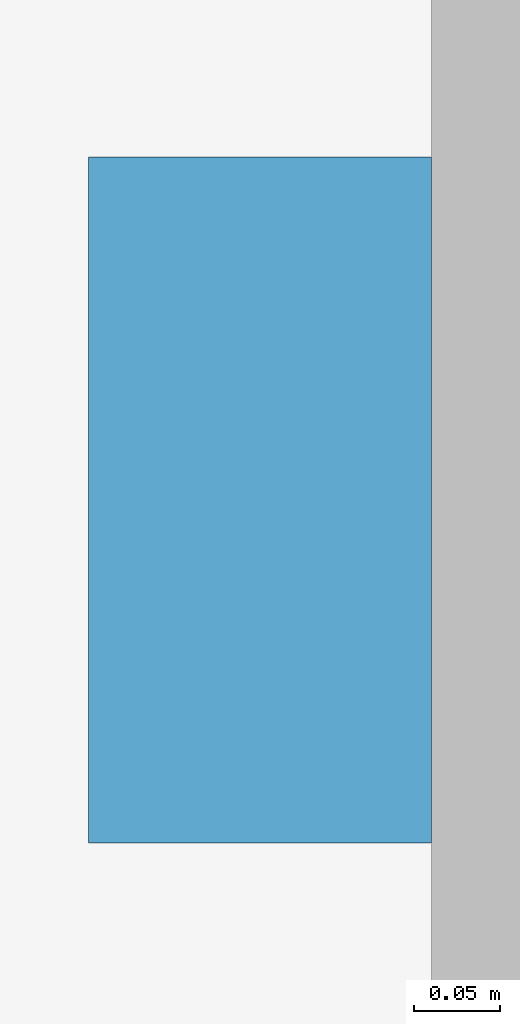
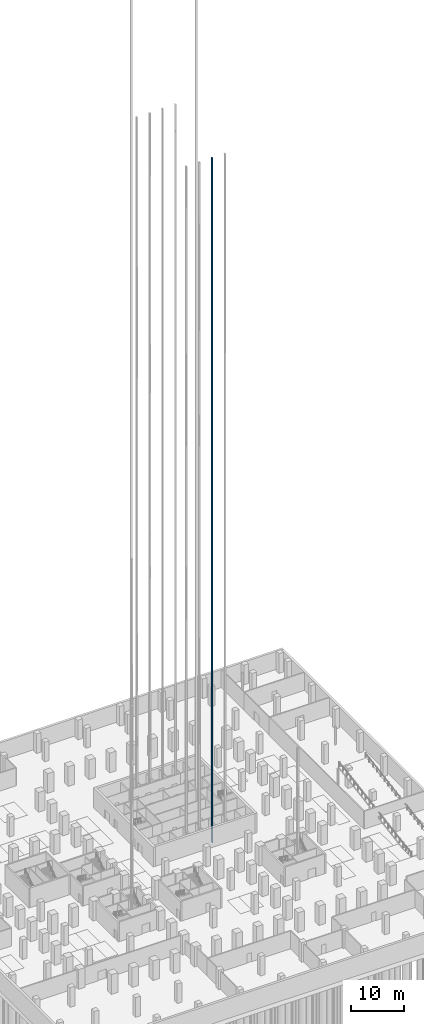
# One storey, part 25 of 37: 1 discrete accessory.
"""IFC4 building model written with IfcOpenShell, lengths in metres."""

from ifc_helpers import new_model, si_unit, direction, frame, origin, origin_2d, place, context, subcontext, project, spatial, rectangle, extrude, material, element, save


model = new_model("IFC4")

# Units and contexts
model_context = context("Model", 3, precision=1e-05, world=origin(), true_north=direction((0.0, 1.0)))
body_context = subcontext(model_context, "Body", "Model", "MODEL_VIEW")
ifc_project = project(units=[si_unit("LENGTHUNIT", "METRE"), si_unit("AREAUNIT", "SQUARE_METRE"), si_unit("VOLUMEUNIT", "CUBIC_METRE"), si_unit("PLANEANGLEUNIT", "RADIAN"), si_unit("MASSUNIT", "GRAM", prefix="KILO")], contexts=[model_context])

# Site, building, storey
site_placement = place(None, origin())
site = spatial("IfcSite", under=ifc_project, at=site_placement, CompositionType="ELEMENT")
building_placement = place(site_placement, origin())
building = spatial("IfcBuilding", under=site, at=building_placement, Name="Quoin Convention Tower", CompositionType="ELEMENT")
storey_placement = place(building_placement, frame((0.0, 0.0, -9.0)))
storey = spatial("IfcBuildingStorey", under=building, at=storey_placement, Name="B2", CompositionType="ELEMENT", Elevation=-9.0)

# Discrete accessory
ifc_material = material(Name="Galvanised steel", Category="steel")
discrete_accessory_placement = place(storey_placement, frame((58.85009765625, 51.449951171875, -0.349853515625), z_axis=(0.0, 0.0, 1.0), x_axis=(1.0, 0.0, 0.0)))
element("IfcDiscreteAccessory", 1, at=discrete_accessory_placement, inside=storey, material=ifc_material, Name="LIFT GUIDE RAILS L3", ObjectType="Lift guide rails", PredefinedType="USERDEFINED", context=body_context, shape_type="SweptSolid", body=[
    extrude(rectangle(XDim=0.199951171875, YDim=0.39990234375, at=origin_2d()), origin(), (0.0, 0.0, 1.0), 156.89990234375),
])

save(model, "model.ifc")
